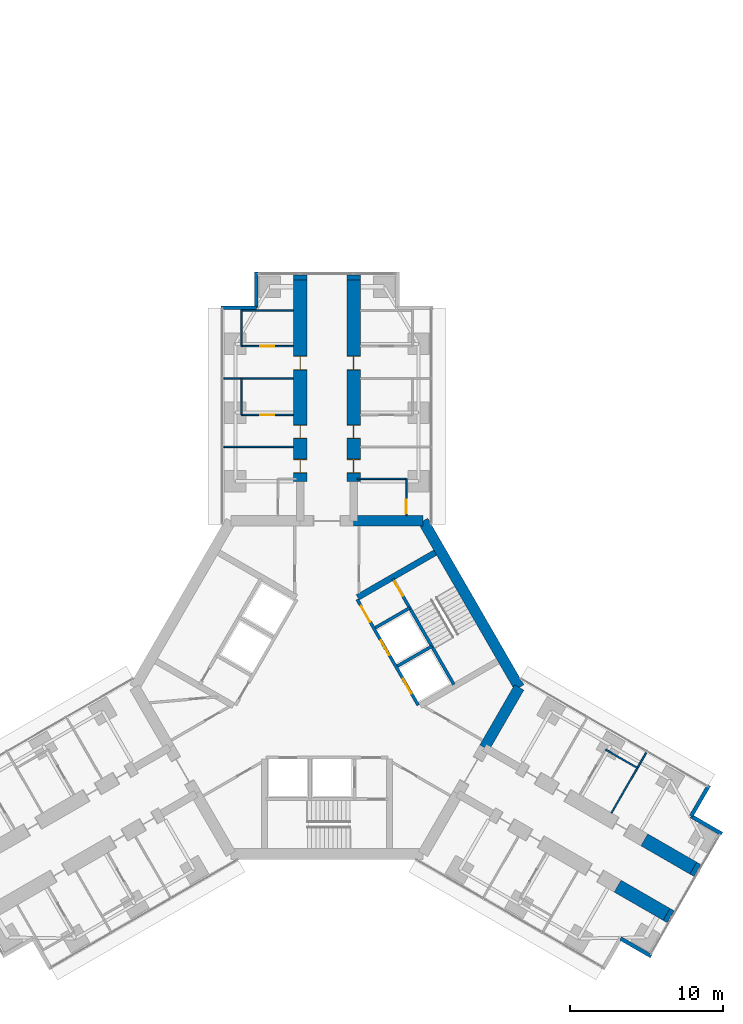
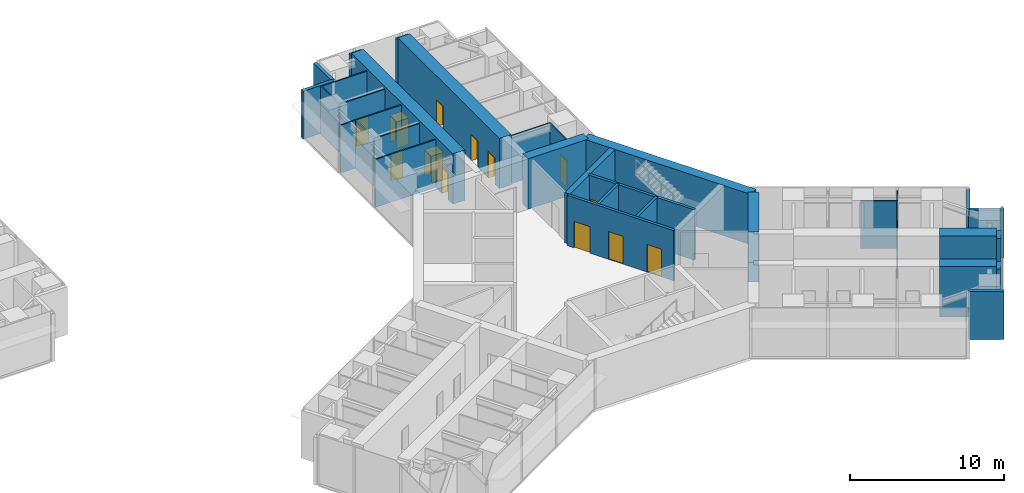
# One storey, part 22 of 25: 32 walls, 13 doors, 13 openings.
"""IFC4 building model written with IfcOpenShell, lengths in metres."""

from ifc_helpers import new_model, si_unit, direction, frame, frame_2d, origin, place, context, subcontext, project, spatial, rectangle, extrude, material, layer, layer_set, type_object, element, fill, save


model = new_model("IFC4")

# Units and contexts
model_context = context("Model", 3, precision=1e-05, world=origin(), true_north=direction((0.0, 1.0)))
body_context = subcontext(model_context, "Body", "Model", "MODEL_VIEW")
ifc_project = project(units=[si_unit("LENGTHUNIT", "METRE"), si_unit("AREAUNIT", "SQUARE_METRE"), si_unit("VOLUMEUNIT", "CUBIC_METRE"), si_unit("PLANEANGLEUNIT", "RADIAN"), si_unit("MASSUNIT", "GRAM", prefix="KILO")], contexts=[model_context])

# Site, building, storey
site_placement = place(None, origin())
site = spatial("IfcSite", under=ifc_project, at=site_placement, CompositionType="ELEMENT")
building_placement = place(site_placement, origin())
building = spatial("IfcBuilding", under=site, at=building_placement, Name="Upepo Twin Towers", CompositionType="ELEMENT")
storey_placement = place(building_placement, frame((0.0, 0.0, 84.5)))
storey = spatial("IfcBuildingStorey", under=building, at=storey_placement, Name="L20", CompositionType="ELEMENT", Elevation=84.5)

# Walls
ifc_material_1 = material(Name="Dense concrete blockwork", Category="masonry")
ifc_layer_1 = layer(ifc_material_1, 0.89990234375)
ifc_layer_set_1 = layer_set([ifc_layer_1], Name="Buttress closer 900, blockwork with fire-stopping to the curtain wall")
wall_type_1 = type_object("IfcWallType", Name="Buttress closer 900, blockwork with fire-stopping to the curtain wall", PredefinedType="PARTITIONING", material=ifc_layer_set_1)
for number, where, z_axis, x_axis, name in (
    (1, (56.75, 8.699951171875, 0.0), (0.0, 0.0, 1.0), (0.0, 1.0, 0.0), "T2 L20 wing A buttress closer L"),
    (2, (60.25, 8.699951171875, 0.0), (0.0, 0.0, 1.0), (0.0, 1.0, 0.0), "T2 L20 wing A buttress closer R"),
    (3, (82.497802734375, -29.83447265625, 0.0), (0.0, 0.0, 1.0), (0.866054481515, -0.499949632511, 0.0), "T2 L20 wing C buttress closer L"),
    (4, (80.747802734375, -32.865478515625, 0.0), (0.0, 0.0, 1.0), (0.866054481515, -0.499949632511, 0.0), "T2 L20 wing C buttress closer R"),
):
    element("IfcWall", number, at=place(storey_placement, frame(where, z_axis=z_axis, x_axis=x_axis)), inside=storey, type_object=wall_type_1, Name=name, PredefinedType="PARTITIONING", context=body_context, shape_type="SweptSolid", body=[
        extrude(rectangle(XDim=0.31005859375, YDim=0.89990234375, at=frame_2d((0.155029296875, 0.0))), origin(), (0.0, 0.0, 1.0), 3.800048828125),
    ])

# Wall, openings, doors
ifc_material_2 = material(Name="Concrete C60/75", Category="concrete")
ifc_layer_2 = layer(ifc_material_2, 0.89990234375)
ifc_layer_set_2 = layer_set([ifc_layer_2], Name="Concrete C60/75")
wall_type_2 = type_object("IfcWallType", Name="Buttress wall 900 RC", PredefinedType="SHEAR", material=ifc_layer_set_2)
wall_1_placement = place(storey_placement, frame((56.75, -4.5, 0.0), z_axis=(0.0, 0.0, 1.0), x_axis=(0.0, 1.0, 0.0)))
wall_1 = element("IfcWall", 5, at=wall_1_placement, inside=storey, type_object=wall_type_2, Name="T2 wing A buttress wall L part 2", PredefinedType="SHEAR", context=body_context, shape_type="SweptSolid", body=[
    extrude(rectangle(XDim=13.199951171875, YDim=0.89990234375, at=frame_2d((6.60009765625, 0.0))), origin(), (0.0, 0.0, 1.0), 4.0),
])
opening_1_placement = place(wall_1_placement, frame((0.550048828125, 0.0, 0.0)))
opening_1 = element("IfcOpeningElement", 6, at=opening_1_placement, cuts=wall_1, Name="Opening D11", PredefinedType="OPENING", context=body_context, shape_type="SweptSolid", body=[
    extrude(rectangle(XDim=0.89990234375, YDim=2.10009765625, at=frame_2d((0.449951171875, 1.050048828125))), frame((0.0, 0.4599609375, 0.0), z_axis=(0.0, -1.0, 0.0), x_axis=(1.0, 0.0, 0.0)), (0.0, 0.0, 1.0), 0.919921875),
])
opening_2_placement = place(wall_1_placement, frame((2.800048828125, 0.0, 0.0)))
opening_2 = element("IfcOpeningElement", 7, at=opening_2_placement, cuts=wall_1, Name="Opening D14", PredefinedType="OPENING", context=body_context, shape_type="SweptSolid", body=[
    extrude(rectangle(XDim=0.89990234375, YDim=2.10009765625, at=frame_2d((0.449951171875, 1.050048828125))), frame((0.0, 0.4599609375, 0.0), z_axis=(0.0, -1.0, 0.0), x_axis=(1.0, 0.0, 0.0)), (0.0, 0.0, 1.0), 0.919921875),
])
opening_3_placement = place(wall_1_placement, frame((7.300048828125, 0.0, 0.0)))
opening_3 = element("IfcOpeningElement", 8, at=opening_3_placement, cuts=wall_1, Name="Opening D14", PredefinedType="OPENING", context=body_context, shape_type="SweptSolid", body=[
    extrude(rectangle(XDim=0.89990234375, YDim=2.10009765625, at=frame_2d((0.449951171875, 1.050048828125))), frame((0.0, 0.4599609375, 0.0), z_axis=(0.0, -1.0, 0.0), x_axis=(1.0, 0.0, 0.0)), (0.0, 0.0, 1.0), 0.919921875),
])
ifc_material_3 = material(Name="Timber doorset", Category="wood")
door_type_1 = type_object("IfcDoorType", Name="Office door 900 FD30", OperationType="SINGLE_SWING_LEFT", PredefinedType="DOOR", material=ifc_material_3)
door_1_placement = place(opening_2_placement, origin())
door_1 = element("IfcDoor", 9, at=door_1_placement, inside=storey, type_object=door_type_1, Name="T2 L20 staff office door", OperationType="SINGLE_SWING_LEFT", OverallHeight=2.10009765625, OverallWidth=0.89990234375, PredefinedType="DOOR", context=body_context, shape_type="SweptSolid", body=[
    extrude(rectangle(XDim=0.81990234375, YDim=2.06009765625, at=frame_2d((0.449951171875, 1.030029296875))), frame((0.0, 0.02490234375, 0.0), z_axis=(0.0, -1.0, 0.0), x_axis=(1.0, 0.0, 0.0)), (0.0, 0.0, 1.0), 0.050048828125),
    extrude(rectangle(XDim=0.04, YDim=2.10009765625, at=frame_2d((0.02001953125, 1.050048828125))), frame((0.0, 0.44970703125, 0.0), z_axis=(0.0, -1.0, 0.0), x_axis=(1.0, 0.0, 0.0)), (0.0, 0.0, 1.0), 0.8994140625),
    extrude(rectangle(XDim=0.04, YDim=2.10009765625, at=frame_2d((0.8798828125, 1.050048828125))), frame((0.0, 0.44970703125, 0.0), z_axis=(0.0, -1.0, 0.0), x_axis=(1.0, 0.0, 0.0)), (0.0, 0.0, 1.0), 0.8994140625),
    extrude(rectangle(XDim=0.81990234375, YDim=0.04, at=frame_2d((0.449951171875, 2.080078125))), frame((0.0, 0.44970703125, 0.0), z_axis=(0.0, -1.0, 0.0), x_axis=(1.0, 0.0, 0.0)), (0.0, 0.0, 1.0), 0.8994140625),
])
fill(opening_2, door_1)
door_2_placement = place(opening_3_placement, origin())
door_2 = element("IfcDoor", 10, at=door_2_placement, inside=storey, type_object=door_type_1, Name="T2 L20 meeting room door", OperationType="SINGLE_SWING_RIGHT", OverallHeight=2.10009765625, OverallWidth=0.89990234375, PredefinedType="DOOR", context=body_context, shape_type="SweptSolid", body=[
    extrude(rectangle(XDim=0.81990234375, YDim=2.06009765625, at=frame_2d((0.449951171875, 1.030029296875))), frame((0.0, 0.02490234375, 0.0), z_axis=(0.0, -1.0, 0.0), x_axis=(1.0, 0.0, 0.0)), (0.0, 0.0, 1.0), 0.050048828125),
    extrude(rectangle(XDim=0.04, YDim=2.10009765625, at=frame_2d((0.02001953125, 1.050048828125))), frame((0.0, 0.44970703125, 0.0), z_axis=(0.0, -1.0, 0.0), x_axis=(1.0, 0.0, 0.0)), (0.0, 0.0, 1.0), 0.8994140625),
    extrude(rectangle(XDim=0.04, YDim=2.10009765625, at=frame_2d((0.8798828125, 1.050048828125))), frame((0.0, 0.44970703125, 0.0), z_axis=(0.0, -1.0, 0.0), x_axis=(1.0, 0.0, 0.0)), (0.0, 0.0, 1.0), 0.8994140625),
    extrude(rectangle(XDim=0.81990234375, YDim=0.04, at=frame_2d((0.449951171875, 2.080078125))), frame((0.0, 0.44970703125, 0.0), z_axis=(0.0, -1.0, 0.0), x_axis=(1.0, 0.0, 0.0)), (0.0, 0.0, 1.0), 0.8994140625),
])
fill(opening_3, door_2)
ifc_material_4 = material(Name="Timber doorset", Category="wood")
door_type_2 = type_object("IfcDoorType", Name="Toilet door 900", OperationType="SINGLE_SWING_LEFT", PredefinedType="DOOR", material=ifc_material_4)
door_3_placement = place(opening_1_placement, origin())
door_3 = element("IfcDoor", 11, at=door_3_placement, inside=storey, type_object=door_type_2, Name="T2 L20 toilets door", OperationType="SINGLE_SWING_LEFT", OverallHeight=2.10009765625, OverallWidth=0.89990234375, PredefinedType="DOOR", context=body_context, shape_type="SweptSolid", body=[
    extrude(rectangle(XDim=0.81990234375, YDim=2.06009765625, at=frame_2d((0.449951171875, 1.030029296875))), frame((0.0, 0.02490234375, 0.0), z_axis=(0.0, -1.0, 0.0), x_axis=(1.0, 0.0, 0.0)), (0.0, 0.0, 1.0), 0.050048828125),
    extrude(rectangle(XDim=0.04, YDim=2.10009765625, at=frame_2d((0.02001953125, 1.050048828125))), frame((0.0, 0.44970703125, 0.0), z_axis=(0.0, -1.0, 0.0), x_axis=(1.0, 0.0, 0.0)), (0.0, 0.0, 1.0), 0.8994140625),
    extrude(rectangle(XDim=0.04, YDim=2.10009765625, at=frame_2d((0.8798828125, 1.050048828125))), frame((0.0, 0.44970703125, 0.0), z_axis=(0.0, -1.0, 0.0), x_axis=(1.0, 0.0, 0.0)), (0.0, 0.0, 1.0), 0.8994140625),
    extrude(rectangle(XDim=0.81990234375, YDim=0.04, at=frame_2d((0.449951171875, 2.080078125))), frame((0.0, 0.44970703125, 0.0), z_axis=(0.0, -1.0, 0.0), x_axis=(1.0, 0.0, 0.0)), (0.0, 0.0, 1.0), 0.8994140625),
])
fill(opening_1, door_3)

wall_2_placement = place(storey_placement, frame((60.25, -4.5, 0.0), z_axis=(0.0, 0.0, 1.0), x_axis=(0.0, 1.0, 0.0)))
wall_2 = element("IfcWall", 12, at=wall_2_placement, inside=storey, type_object=wall_type_2, Name="T2 wing A buttress wall R part 2", PredefinedType="SHEAR", context=body_context, shape_type="SweptSolid", body=[
    extrude(rectangle(XDim=13.199951171875, YDim=0.89990234375, at=frame_2d((6.60009765625, 0.0))), origin(), (0.0, 0.0, 1.0), 4.0),
])
opening_4_placement = place(wall_2_placement, frame((0.550048828125, 0.0, 0.0)))
opening_4 = element("IfcOpeningElement", 13, at=opening_4_placement, cuts=wall_2, Name="Opening D11", PredefinedType="OPENING", context=body_context, shape_type="SweptSolid", body=[
    extrude(rectangle(XDim=0.89990234375, YDim=2.10009765625, at=frame_2d((0.449951171875, 1.050048828125))), frame((0.0, 0.4599609375, 0.0), z_axis=(0.0, -1.0, 0.0), x_axis=(1.0, 0.0, 0.0)), (0.0, 0.0, 1.0), 0.919921875),
])
opening_5_placement = place(wall_2_placement, frame((2.800048828125, 0.0, 0.0)))
opening_5 = element("IfcOpeningElement", 14, at=opening_5_placement, cuts=wall_2, Name="Opening D14", PredefinedType="OPENING", context=body_context, shape_type="SweptSolid", body=[
    extrude(rectangle(XDim=0.89990234375, YDim=2.10009765625, at=frame_2d((0.449951171875, 1.050048828125))), frame((0.0, 0.4599609375, 0.0), z_axis=(0.0, -1.0, 0.0), x_axis=(1.0, 0.0, 0.0)), (0.0, 0.0, 1.0), 0.919921875),
])
opening_6_placement = place(wall_2_placement, frame((7.300048828125, 0.0, 0.0)))
opening_6 = element("IfcOpeningElement", 15, at=opening_6_placement, cuts=wall_2, Name="Opening D14", PredefinedType="OPENING", context=body_context, shape_type="SweptSolid", body=[
    extrude(rectangle(XDim=0.89990234375, YDim=2.10009765625, at=frame_2d((0.449951171875, 1.050048828125))), frame((0.0, 0.4599609375, 0.0), z_axis=(0.0, -1.0, 0.0), x_axis=(1.0, 0.0, 0.0)), (0.0, 0.0, 1.0), 0.919921875),
])
door_4_placement = place(opening_5_placement, origin())
door_4 = element("IfcDoor", 16, at=door_4_placement, inside=storey, type_object=door_type_1, Name="T2 L20 staff office door", OperationType="SINGLE_SWING_LEFT", OverallHeight=2.10009765625, OverallWidth=0.89990234375, PredefinedType="DOOR", context=body_context, shape_type="SweptSolid", body=[
    extrude(rectangle(XDim=0.81990234375, YDim=2.06009765625, at=frame_2d((0.449951171875, 1.030029296875))), frame((0.0, 0.02490234375, 0.0), z_axis=(0.0, -1.0, 0.0), x_axis=(1.0, 0.0, 0.0)), (0.0, 0.0, 1.0), 0.050048828125),
    extrude(rectangle(XDim=0.04, YDim=2.10009765625, at=frame_2d((0.02001953125, 1.050048828125))), frame((0.0, 0.44970703125, 0.0), z_axis=(0.0, -1.0, 0.0), x_axis=(1.0, 0.0, 0.0)), (0.0, 0.0, 1.0), 0.8994140625),
    extrude(rectangle(XDim=0.04, YDim=2.10009765625, at=frame_2d((0.8798828125, 1.050048828125))), frame((0.0, 0.44970703125, 0.0), z_axis=(0.0, -1.0, 0.0), x_axis=(1.0, 0.0, 0.0)), (0.0, 0.0, 1.0), 0.8994140625),
    extrude(rectangle(XDim=0.81990234375, YDim=0.04, at=frame_2d((0.449951171875, 2.080078125))), frame((0.0, 0.44970703125, 0.0), z_axis=(0.0, -1.0, 0.0), x_axis=(1.0, 0.0, 0.0)), (0.0, 0.0, 1.0), 0.8994140625),
])
fill(opening_5, door_4)
door_5_placement = place(opening_6_placement, origin())
door_5 = element("IfcDoor", 17, at=door_5_placement, inside=storey, type_object=door_type_1, Name="T2 L20 postgraduate office door", OperationType="SINGLE_SWING_RIGHT", OverallHeight=2.10009765625, OverallWidth=0.89990234375, PredefinedType="DOOR", context=body_context, shape_type="SweptSolid", body=[
    extrude(rectangle(XDim=0.81990234375, YDim=2.06009765625, at=frame_2d((0.449951171875, 1.030029296875))), frame((0.0, 0.02490234375, 0.0), z_axis=(0.0, -1.0, 0.0), x_axis=(1.0, 0.0, 0.0)), (0.0, 0.0, 1.0), 0.050048828125),
    extrude(rectangle(XDim=0.04, YDim=2.10009765625, at=frame_2d((0.02001953125, 1.050048828125))), frame((0.0, 0.44970703125, 0.0), z_axis=(0.0, -1.0, 0.0), x_axis=(1.0, 0.0, 0.0)), (0.0, 0.0, 1.0), 0.8994140625),
    extrude(rectangle(XDim=0.04, YDim=2.10009765625, at=frame_2d((0.8798828125, 1.050048828125))), frame((0.0, 0.44970703125, 0.0), z_axis=(0.0, -1.0, 0.0), x_axis=(1.0, 0.0, 0.0)), (0.0, 0.0, 1.0), 0.8994140625),
    extrude(rectangle(XDim=0.81990234375, YDim=0.04, at=frame_2d((0.449951171875, 2.080078125))), frame((0.0, 0.44970703125, 0.0), z_axis=(0.0, -1.0, 0.0), x_axis=(1.0, 0.0, 0.0)), (0.0, 0.0, 1.0), 0.8994140625),
])
fill(opening_6, door_5)
door_6_placement = place(opening_4_placement, origin())
door_6 = element("IfcDoor", 18, at=door_6_placement, inside=storey, type_object=door_type_2, Name="T2 L20 accessible wc door", OperationType="SINGLE_SWING_LEFT", OverallHeight=2.10009765625, OverallWidth=0.89990234375, PredefinedType="DOOR", context=body_context, shape_type="SweptSolid", body=[
    extrude(rectangle(XDim=0.81990234375, YDim=2.06009765625, at=frame_2d((0.449951171875, 1.030029296875))), frame((0.0, 0.02490234375, 0.0), z_axis=(0.0, -1.0, 0.0), x_axis=(1.0, 0.0, 0.0)), (0.0, 0.0, 1.0), 0.050048828125),
    extrude(rectangle(XDim=0.04, YDim=2.10009765625, at=frame_2d((0.02001953125, 1.050048828125))), frame((0.0, 0.44970703125, 0.0), z_axis=(0.0, -1.0, 0.0), x_axis=(1.0, 0.0, 0.0)), (0.0, 0.0, 1.0), 0.8994140625),
    extrude(rectangle(XDim=0.04, YDim=2.10009765625, at=frame_2d((0.8798828125, 1.050048828125))), frame((0.0, 0.44970703125, 0.0), z_axis=(0.0, -1.0, 0.0), x_axis=(1.0, 0.0, 0.0)), (0.0, 0.0, 1.0), 0.8994140625),
    extrude(rectangle(XDim=0.81990234375, YDim=0.04, at=frame_2d((0.449951171875, 2.080078125))), frame((0.0, 0.44970703125, 0.0), z_axis=(0.0, -1.0, 0.0), x_axis=(1.0, 0.0, 0.0)), (0.0, 0.0, 1.0), 0.8994140625),
])
fill(opening_4, door_6)

# Walls
wall_3_placement = place(storey_placement, frame((79.293701171875, -27.984375, 0.0), z_axis=(0.0, 0.0, 1.0), x_axis=(0.866000971088, -0.500042316284, 0.0)))
element("IfcWall", 19, at=wall_3_placement, inside=storey, type_object=wall_type_2, Name="T2 wing C buttress wall L part 3", PredefinedType="SHEAR", context=body_context, shape_type="SweptSolid", body=[
    extrude(rectangle(XDim=3.699951171875, YDim=0.89990234375, at=frame_2d((1.85009765625, 0.0))), origin(), (0.0, 0.0, 1.0), 4.0),
])
wall_4_placement = place(storey_placement, frame((77.543701171875, -31.015625, 0.0), z_axis=(0.0, 0.0, 1.0), x_axis=(0.866029545028, -0.499992827086, 0.0)))
element("IfcWall", 20, at=wall_4_placement, inside=storey, type_object=wall_type_2, Name="T2 wing C buttress wall R part 3", PredefinedType="SHEAR", context=body_context, shape_type="SweptSolid", body=[
    extrude(rectangle(XDim=3.69970703125, YDim=0.89990234375, at=frame_2d((1.849853515625, 0.0))), origin(), (0.0, 0.0, 1.0), 4.0),
])
ifc_material_5 = material(Name="Concrete C60/75", Category="concrete")
ifc_layer_3 = layer(ifc_material_5, 0.699951171875)
ifc_layer_set_3 = layer_set([ifc_layer_3], Name="Concrete C60/75")
wall_type_3 = type_object("IfcWallType", Name="Core wall 700 RC", PredefinedType="SHEAR", material=ifc_layer_set_3)
wall_5_placement = place(storey_placement, frame((64.7978515625, -7.091552734375, 0.0), z_axis=(0.0, 0.0, 1.0), x_axis=(-1.0, 0.0, 0.0)))
element("IfcWall", 21, at=wall_5_placement, inside=storey, type_object=wall_type_3, Name="T2 core wall 000 R", PredefinedType="SHEAR", context=body_context, shape_type="SweptSolid", body=[
    extrude(rectangle(XDim=4.5478515625, YDim=0.699951171875, at=frame_2d((2.27392578125, 0.0))), origin(), (0.0, 0.0, 1.0), 4.0),
])
wall_6_placement = place(storey_placement, frame((68.82177734375, -21.938720703125, 0.0), z_axis=(0.0, 0.0, 1.0), x_axis=(0.500024481964, 0.866011268655, 0.0)))
element("IfcWall", 22, at=wall_6_placement, inside=storey, type_object=wall_type_3, Name="T2 core wall 240 L", PredefinedType="SHEAR", context=body_context, shape_type="SweptSolid", body=[
    extrude(rectangle(XDim=4.548095703125, YDim=0.699951171875, at=frame_2d((2.27392578125, 0.0))), origin(), (0.0, 0.0, 1.0), 4.0),
])
wall_7_placement = place(storey_placement, frame((71.095947265625, -18.0, 0.0), z_axis=(0.0, 0.0, 1.0), x_axis=(-0.500005998175, 0.866021940709, 0.0)))
element("IfcWall", 23, at=wall_7_placement, inside=storey, type_object=wall_type_3, Name="T2 core wall 300", PredefinedType="SHEAR", context=body_context, shape_type="SweptSolid", body=[
    extrude(rectangle(XDim=12.595947265625, YDim=0.699951171875, at=frame_2d((6.2978515625, 0.0))), origin(), (0.0, 0.0, 1.0), 4.0),
])
ifc_material_6 = material(Name="Blockwork with anodised aluminium cladding", Category="masonry")
ifc_layer_4 = layer(ifc_material_6, 0.25)
ifc_layer_set_4 = layer_set([ifc_layer_4], Name="Notch cladding wall 250, pale metal")
wall_type_4 = type_object("IfcWallType", Name="Notch cladding wall 250, pale metal", PredefinedType="STANDARD", material=ifc_layer_set_4)
for number, where, z_axis, x_axis, name in (
    (24, (51.550048828125, 6.875, 0.0), (0.0, 0.0, 1.0), (1.0, 0.0, 0.0), "T2 L20 wing A notch wall L1"),
    (25, (53.875, 6.875, 0.0), (0.0, 0.0, 1.0), (0.0, 1.0, 0.0), "T2 L20 wing A notch wall L2"),
    (26, (83.517333984375, -24.418701171875, 0.0), (0.0, 0.0, 1.0), (-0.499967891604, -0.866043940782, 0.0), "T2 L20 wing C notch wall L1"),
    (27, (82.35498046875, -26.43212890625, 0.0), (0.0, 0.0, 1.0), (0.865998469481, -0.500046648681, 0.0), "T2 L20 wing C notch wall L2"),
    (28, (77.72998046875, -34.44287109375, 0.0), (0.0, 0.0, 1.0), (0.865998469481, -0.500046648681, 0.0), "T2 L20 wing C notch wall R2"),
):
    element("IfcWall", number, at=place(storey_placement, frame(where, z_axis=z_axis, x_axis=x_axis)), inside=storey, type_object=wall_type_4, Name=name, PredefinedType="STANDARD", context=body_context, shape_type="SweptSolid", body=[
        extrude(rectangle(XDim=2.324951171875, YDim=0.25, at=frame_2d((1.16259765625, 0.0))), origin(), (0.0, 0.0, 1.0), 3.800048828125),
    ])
ifc_material_7 = material(Name="Gypsum board on steel studs", Category="steel")
ifc_layer_5 = layer(ifc_material_7, 0.10009765625)
ifc_layer_set_5 = layer_set([ifc_layer_5], Name="Office partition 100 stud")
wall_type_5 = type_object("IfcWallType", Name="Office partition 100 stud", PredefinedType="PARTITIONING", material=ifc_layer_set_5)
for number, where, z_axis, x_axis, name in (
    (29, (56.300048828125, -2.25, 0.0), (0.0, 0.0, 1.0), (-1.0, 0.0, 0.0), "T2 partition AL at 15.75"),
    (30, (56.300048828125, 2.25, 0.0), (0.0, 0.0, 1.0), (-1.0, 0.0, 0.0), "T2 partition AL at 20.25"),
):
    element("IfcWall", number, at=place(storey_placement, frame(where, z_axis=z_axis, x_axis=x_axis)), inside=storey, type_object=wall_type_5, Name=name, PredefinedType="PARTITIONING", context=body_context, shape_type="SweptSolid", body=[
        extrude(rectangle(XDim=4.550048828125, YDim=0.10009765625, at=frame_2d((2.27490234375, 0.0))), origin(), (0.0, 0.0, 1.0), 3.800048828125),
    ])
wall_8_placement = place(storey_placement, frame((52.89990234375, -0.14990234375, 0.0), z_axis=(0.0, 0.0, 1.0), x_axis=(0.0, 1.0, 0.0)))
element("IfcWall", 31, at=wall_8_placement, inside=storey, type_object=wall_type_5, Name="T2 inner room partition AL at 17.85", PredefinedType="PARTITIONING", context=body_context, shape_type="SweptSolid", body=[
    extrude(rectangle(XDim=2.39990234375, YDim=0.10009765625, at=frame_2d((1.199951171875, 0.0))), origin(), (0.0, 0.0, 1.0), 3.800048828125),
])

# Wall, opening, door
wall_9_placement = place(storey_placement, frame((56.300048828125, -0.14990234375, 0.0), z_axis=(0.0, 0.0, 1.0), x_axis=(-1.0, 0.0, 0.0)))
wall_9 = element("IfcWall", 32, at=wall_9_placement, inside=storey, type_object=wall_type_5, Name="T2 inner room partition AL end at 17.85", PredefinedType="PARTITIONING", context=body_context, shape_type="SweptSolid", body=[
    extrude(rectangle(XDim=3.400146484375, YDim=0.10009765625, at=frame_2d((1.7001953125, 0.0))), origin(), (0.0, 0.0, 1.0), 3.800048828125),
])
opening_7_placement = place(wall_9_placement, frame((1.25, 0.0, 0.0)))
opening_7 = element("IfcOpeningElement", 33, at=opening_7_placement, cuts=wall_9, Name="Opening D14", PredefinedType="OPENING", context=body_context, shape_type="SweptSolid", body=[
    extrude(rectangle(XDim=0.89990234375, YDim=2.10009765625, at=frame_2d((0.449951171875, 1.050048828125))), frame((0.0, 0.06005859375, 0.0), z_axis=(0.0, -1.0, 0.0), x_axis=(1.0, 0.0, 0.0)), (0.0, 0.0, 1.0), 0.1201171875),
])
door_7_placement = place(opening_7_placement, origin())
door_7 = element("IfcDoor", 34, at=door_7_placement, inside=storey, type_object=door_type_1, Name="T2 L20 inner room door", OperationType="SINGLE_SWING_LEFT", OverallHeight=2.10009765625, OverallWidth=0.89990234375, PredefinedType="DOOR", context=body_context, shape_type="SweptSolid", body=[
    extrude(rectangle(XDim=0.89990234375, YDim=2.10009765625, at=frame_2d((0.449951171875, 1.050048828125))), frame((0.0, 0.02490234375, 0.0), z_axis=(0.0, -1.0, 0.0), x_axis=(1.0, 0.0, 0.0)), (0.0, 0.0, 1.0), 0.050048828125),
])
fill(opening_7, door_7)

# Wall
wall_10_placement = place(storey_placement, frame((52.89990234375, 4.35009765625, 0.0), z_axis=(0.0, 0.0, 1.0), x_axis=(0.0, 1.0, 0.0)))
element("IfcWall", 35, at=wall_10_placement, inside=storey, type_object=wall_type_5, Name="T2 inner room partition AL at 22.35", PredefinedType="PARTITIONING", context=body_context, shape_type="SweptSolid", body=[
    extrude(rectangle(XDim=2.39990234375, YDim=0.10009765625, at=frame_2d((1.199951171875, 0.0))), origin(), (0.0, 0.0, 1.0), 3.800048828125),
])

# Wall, opening, door
wall_11_placement = place(storey_placement, frame((56.300048828125, 4.35009765625, 0.0), z_axis=(0.0, 0.0, 1.0), x_axis=(-1.0, 0.0, 0.0)))
wall_11 = element("IfcWall", 36, at=wall_11_placement, inside=storey, type_object=wall_type_5, Name="T2 inner room partition AL end at 22.35", PredefinedType="PARTITIONING", context=body_context, shape_type="SweptSolid", body=[
    extrude(rectangle(XDim=3.400146484375, YDim=0.10009765625, at=frame_2d((1.7001953125, 0.0))), origin(), (0.0, 0.0, 1.0), 3.800048828125),
])
opening_8_placement = place(wall_11_placement, frame((1.25, 0.0, 0.0)))
opening_8 = element("IfcOpeningElement", 37, at=opening_8_placement, cuts=wall_11, Name="Opening D14", PredefinedType="OPENING", context=body_context, shape_type="SweptSolid", body=[
    extrude(rectangle(XDim=0.89990234375, YDim=2.10009765625, at=frame_2d((0.449951171875, 1.050048828125))), frame((0.0, 0.06005859375, 0.0), z_axis=(0.0, -1.0, 0.0), x_axis=(1.0, 0.0, 0.0)), (0.0, 0.0, 1.0), 0.1201171875),
])
door_8_placement = place(opening_8_placement, origin())
door_8 = element("IfcDoor", 38, at=door_8_placement, inside=storey, type_object=door_type_1, Name="T2 L20 inner room door", OperationType="SINGLE_SWING_LEFT", OverallHeight=2.10009765625, OverallWidth=0.89990234375, PredefinedType="DOOR", context=body_context, shape_type="SweptSolid", body=[
    extrude(rectangle(XDim=0.89990234375, YDim=2.10009765625, at=frame_2d((0.449951171875, 1.050048828125))), frame((0.0, 0.02490234375, 0.0), z_axis=(0.0, -1.0, 0.0), x_axis=(1.0, 0.0, 0.0)), (0.0, 0.0, 1.0), 0.050048828125),
])
fill(opening_8, door_8)

# Wall
wall_12_placement = place(storey_placement, frame((56.300048828125, 6.699951171875, 0.0), z_axis=(0.0, 0.0, 1.0), x_axis=(-1.0, 0.0, 0.0)))
element("IfcWall", 39, at=wall_12_placement, inside=storey, type_object=wall_type_5, Name="T2 inner room partition AL end at 24.75", PredefinedType="PARTITIONING", context=body_context, shape_type="SweptSolid", body=[
    extrude(rectangle(XDim=3.400146484375, YDim=0.10009765625, at=frame_2d((1.7001953125, 0.0))), origin(), (0.0, 0.0, 1.0), 3.800048828125),
])

# Wall, opening, door
wall_13_placement = place(storey_placement, frame((63.699951171875, -6.741943359375, 0.0), z_axis=(0.0, 0.0, 1.0), x_axis=(0.0, 1.0, 0.0)))
wall_13 = element("IfcWall", 40, at=wall_13_placement, inside=storey, type_object=wall_type_5, Name="T2 WC bay partition AR at 11.26", PredefinedType="PARTITIONING", context=body_context, shape_type="SweptSolid", body=[
    extrude(rectangle(XDim=2.39990234375, YDim=0.10009765625, at=frame_2d((1.199951171875, 0.0))), origin(), (0.0, 0.0, 1.0), 3.800048828125),
])
opening_9_placement = place(wall_13_placement, frame((0.14990234375, 0.0, 0.0)))
opening_9 = element("IfcOpeningElement", 41, at=opening_9_placement, cuts=wall_13, Name="Opening D14", PredefinedType="OPENING", context=body_context, shape_type="SweptSolid", body=[
    extrude(rectangle(XDim=0.89990234375, YDim=2.10009765625, at=frame_2d((0.449951171875, 1.050048828125))), frame((0.0, 0.06005859375, 0.0), z_axis=(0.0, -1.0, 0.0), x_axis=(1.0, 0.0, 0.0)), (0.0, 0.0, 1.0), 0.1201171875),
])
door_9_placement = place(opening_9_placement, origin())
door_9 = element("IfcDoor", 42, at=door_9_placement, inside=storey, type_object=door_type_1, Name="T2 L20 WC bay inner room door", OperationType="SINGLE_SWING_LEFT", OverallHeight=2.10009765625, OverallWidth=0.89990234375, PredefinedType="DOOR", context=body_context, shape_type="SweptSolid", body=[
    extrude(rectangle(XDim=0.89990234375, YDim=2.10009765625, at=frame_2d((0.449951171875, 1.050048828125))), frame((0.0, 0.02490234375, 0.0), z_axis=(0.0, -1.0, 0.0), x_axis=(1.0, 0.0, 0.0)), (0.0, 0.0, 1.0), 0.050048828125),
])
fill(opening_9, door_9)

# Walls
wall_14_placement = place(storey_placement, frame((60.5, -4.342041015625, 0.0), z_axis=(0.0, 0.0, 1.0), x_axis=(1.0, 0.0, 0.0)))
element("IfcWall", 43, at=wall_14_placement, inside=storey, type_object=wall_type_5, Name="T2 WC bay partition AR end at 13.66", PredefinedType="PARTITIONING", context=body_context, shape_type="SweptSolid", body=[
    extrude(rectangle(XDim=3.199951171875, YDim=0.10009765625, at=frame_2d((1.60009765625, 0.0))), origin(), (0.0, 0.0, 1.0), 3.800048828125),
])
wall_15_placement = place(storey_placement, frame((77.136962890625, -26.2197265625, 0.0), z_axis=(0.0, 0.0, 1.0), x_axis=(0.500022803284, 0.866012237902, 0.0)))
element("IfcWall", 44, at=wall_15_placement, inside=storey, type_object=wall_type_5, Name="T2 partition CL at 20.25", PredefinedType="PARTITIONING", context=body_context, shape_type="SweptSolid", body=[
    extrude(rectangle(XDim=4.550048828125, YDim=0.10009765625, at=frame_2d((2.27490234375, 0.0))), origin(), (0.0, 0.0, 1.0), 3.800048828125),
])
wall_16_placement = place(storey_placement, frame((76.758544921875, -22.0751953125, 0.0), z_axis=(0.0, 0.0, 1.0), x_axis=(0.866024647952, -0.500001309137, 0.0)))
element("IfcWall", 45, at=wall_16_placement, inside=storey, type_object=wall_type_5, Name="T2 inner room partition CL at 17.85", PredefinedType="PARTITIONING", context=body_context, shape_type="SweptSolid", body=[
    extrude(rectangle(XDim=2.39990234375, YDim=0.10009765625, at=frame_2d((1.199951171875, 0.0))), origin(), (0.0, 0.0, 1.0), 3.800048828125),
])

# Wall, openings, doors
ifc_material_8 = material(Name="Concrete C40/50", Category="concrete")
ifc_layer_6 = layer(ifc_material_8, 0.199951171875)
ifc_layer_set_6 = layer_set([ifc_layer_6], Name="Concrete C40/50")
wall_type_6 = type_object("IfcWallType", Name="Shaft wall 200 RC", PredefinedType="SHEAR", material=ifc_layer_set_6)
wall_17_placement = place(storey_placement, frame((64.483642578125, -19.1640625, 0.0), z_axis=(0.0, 0.0, 1.0), x_axis=(-0.49999894854, 0.866026010844, 0.0)))
wall_17 = element("IfcWall", 46, at=wall_17_placement, inside=storey, type_object=wall_type_6, Name="T2 core W300 front wall", PredefinedType="SHEAR", context=body_context, shape_type="SweptSolid", body=[
    extrude(rectangle(XDim=8.0, YDim=0.199951171875, at=frame_2d((4.0, 0.0))), origin(), (0.0, 0.0, 1.0), 4.0),
])
opening_10_placement = place(wall_17_placement, frame((6.300048828125, 0.0, 0.0)))
opening_10 = element("IfcOpeningElement", 47, at=opening_10_placement, cuts=wall_17, Name="Opening D4", PredefinedType="OPENING", context=body_context, shape_type="SweptSolid", body=[
    extrude(rectangle(XDim=1.199951171875, YDim=2.10009765625, at=frame_2d((0.60009765625, 1.050048828125))), frame((0.0, 0.10986328125, 0.0), z_axis=(0.0, -1.0, 0.0), x_axis=(1.0, 0.0, 0.0)), (0.0, 0.0, 1.0), 0.219970703125),
])
opening_11_placement = place(wall_17_placement, frame((0.89990234375, 0.0, 0.0)))
opening_11 = element("IfcOpeningElement", 48, at=opening_11_placement, cuts=wall_17, Name="Opening LD1", PredefinedType="OPENING", context=body_context, shape_type="SweptSolid", body=[
    extrude(rectangle(XDim=1.10009765625, YDim=2.199951171875, at=frame_2d((0.550048828125, 1.10009765625))), frame((0.0, 0.10986328125, 0.0), z_axis=(0.0, -1.0, 0.0), x_axis=(1.0, 0.0, 0.0)), (0.0, 0.0, 1.0), 0.219970703125),
])
opening_12_placement = place(wall_17_placement, frame((3.800048828125, 0.0, 0.0)))
opening_12 = element("IfcOpeningElement", 49, at=opening_12_placement, cuts=wall_17, Name="Opening LD1", PredefinedType="OPENING", context=body_context, shape_type="SweptSolid", body=[
    extrude(rectangle(XDim=1.10009765625, YDim=2.199951171875, at=frame_2d((0.550048828125, 1.10009765625))), frame((0.0, 0.10986328125, 0.0), z_axis=(0.0, -1.0, 0.0), x_axis=(1.0, 0.0, 0.0)), (0.0, 0.0, 1.0), 0.219970703125),
])
ifc_material_9 = material(Name="Steel doorset", Category="steel")
door_type_3 = type_object("IfcDoorType", Name="Lift landing door 1100", OperationType="DOUBLE_DOOR_SLIDING", PredefinedType="DOOR", material=ifc_material_9)
door_10_placement = place(opening_11_placement, origin())
door_10 = element("IfcDoor", 50, at=door_10_placement, inside=storey, type_object=door_type_3, Name="T2 L20 lift LL1 landing door", OperationType="DOUBLE_DOOR_SLIDING", OverallHeight=2.199951171875, OverallWidth=1.10009765625, PredefinedType="DOOR", context=body_context, shape_type="SweptSolid", body=[
    extrude(rectangle(XDim=1.10009765625, YDim=2.199951171875, at=frame_2d((0.550048828125, 1.10009765625))), frame((0.0, 0.02490234375, 0.0), z_axis=(0.0, -1.0, 0.0), x_axis=(1.0, 0.0, 0.0)), (0.0, 0.0, 1.0), 0.050048828125),
])
fill(opening_11, door_10)
door_11_placement = place(opening_12_placement, origin())
door_11 = element("IfcDoor", 51, at=door_11_placement, inside=storey, type_object=door_type_3, Name="T2 L20 lift LL2 landing door", OperationType="DOUBLE_DOOR_SLIDING", OverallHeight=2.199951171875, OverallWidth=1.10009765625, PredefinedType="DOOR", context=body_context, shape_type="SweptSolid", body=[
    extrude(rectangle(XDim=1.10009765625, YDim=2.199951171875, at=frame_2d((0.550048828125, 1.10009765625))), frame((0.0, 0.02490234375, 0.0), z_axis=(0.0, -1.0, 0.0), x_axis=(1.0, 0.0, 0.0)), (0.0, 0.0, 1.0), 0.050048828125),
])
fill(opening_12, door_11)
ifc_material_10 = material(Name="Timber doorset", Category="wood")
door_type_4 = type_object("IfcDoorType", Name="Lobby door 1200 FD60", OperationType="SINGLE_SWING_LEFT", PredefinedType="DOOR", material=ifc_material_10)
door_12_placement = place(opening_10_placement, origin())
door_12 = element("IfcDoor", 52, at=door_12_placement, inside=storey, type_object=door_type_4, Name="T2 L20 W300 lobby door", OperationType="SINGLE_SWING_RIGHT", OverallHeight=2.10009765625, OverallWidth=1.199951171875, PredefinedType="DOOR", context=body_context, shape_type="SweptSolid", body=[
    extrude(rectangle(XDim=1.199951171875, YDim=2.10009765625, at=frame_2d((0.60009765625, 1.050048828125))), frame((0.0, 0.02490234375, 0.0), z_axis=(0.0, -1.0, 0.0), x_axis=(1.0, 0.0, 0.0)), (0.0, 0.0, 1.0), 0.050048828125),
])
fill(opening_10, door_12)

# Walls
wall_18_placement = place(storey_placement, frame((63.120361328125, -16.6025390625, 0.0), z_axis=(0.0, 0.0, 1.0), x_axis=(0.866062058628, 0.499936506574, 0.0)))
element("IfcWall", 53, at=wall_18_placement, inside=storey, type_object=wall_type_6, Name="T2 core W300 shaft divider", PredefinedType="SHEAR", context=body_context, shape_type="SweptSolid", body=[
    extrude(rectangle(XDim=2.599853515625, YDim=0.199951171875, at=frame_2d((1.2998046875, 0.0))), origin(), (0.0, 0.0, 1.0), 4.0),
])
wall_19_placement = place(storey_placement, frame((61.67041015625, -14.091064453125, 0.0), z_axis=(0.0, 0.0, 1.0), x_axis=(0.86603858612, 0.49997716683, 0.0)))
element("IfcWall", 54, at=wall_19_placement, inside=storey, type_object=wall_type_6, Name="T2 core W300 lobby wall", PredefinedType="SHEAR", context=body_context, shape_type="SweptSolid", body=[
    extrude(rectangle(XDim=2.599609375, YDim=0.199951171875, at=frame_2d((1.2998046875, 0.0))), origin(), (0.0, 0.0, 1.0), 4.0),
])

# Wall, opening, door
wall_20_placement = place(storey_placement, frame((66.822021484375, -17.814208984375, 0.0), z_axis=(0.0, 0.0, 1.0), x_axis=(-0.49999894854, 0.866026010844, 0.0)))
wall_20 = element("IfcWall", 55, at=wall_20_placement, inside=storey, type_object=wall_type_6, Name="T2 core W300 stair wall", PredefinedType="SHEAR", context=body_context, shape_type="SweptSolid", body=[
    extrude(rectangle(XDim=8.0, YDim=0.199951171875, at=frame_2d((4.0, 0.0))), origin(), (0.0, 0.0, 1.0), 4.0),
])
opening_13_placement = place(wall_20_placement, frame((6.699951171875, 0.0, 0.0)))
opening_13 = element("IfcOpeningElement", 56, at=opening_13_placement, cuts=wall_20, Name="Opening D3", PredefinedType="OPENING", context=body_context, shape_type="SweptSolid", body=[
    extrude(rectangle(XDim=1.10009765625, YDim=2.10009765625, at=frame_2d((0.550048828125, 1.050048828125))), frame((0.0, 0.10986328125, 0.0), z_axis=(0.0, -1.0, 0.0), x_axis=(1.0, 0.0, 0.0)), (0.0, 0.0, 1.0), 0.219970703125),
])
ifc_material_11 = material(Name="Timber doorset", Category="wood")
door_type_5 = type_object("IfcDoorType", Name="Stair door 1100 FD60", OperationType="SINGLE_SWING_LEFT", PredefinedType="DOOR", material=ifc_material_11)
door_13_placement = place(opening_13_placement, origin())
door_13 = element("IfcDoor", 57, at=door_13_placement, inside=storey, type_object=door_type_5, Name="T2 L20 stair door", OperationType="SINGLE_SWING_RIGHT", OverallHeight=2.10009765625, OverallWidth=1.10009765625, PredefinedType="DOOR", context=body_context, shape_type="SweptSolid", body=[
    extrude(rectangle(XDim=1.10009765625, YDim=2.10009765625, at=frame_2d((0.550048828125, 1.050048828125))), frame((0.0, 0.02490234375, 0.0), z_axis=(0.0, -1.0, 0.0), x_axis=(1.0, 0.0, 0.0)), (0.0, 0.0, 1.0), 0.050048828125),
])
fill(opening_13, door_13)

# Wall
ifc_material_12 = material(Name="Concrete C40/50", Category="concrete")
ifc_layer_7 = layer(ifc_material_12, 0.39990234375)
ifc_layer_set_7 = layer_set([ifc_layer_7], Name="Concrete C40/50")
wall_type_7 = type_object("IfcWallType", Name="Shaft wall 400 RC", PredefinedType="SHEAR", material=ifc_layer_set_7)
wall_21_placement = place(storey_placement, frame((60.520263671875, -12.099365234375, 0.0), z_axis=(0.0, 0.0, 1.0), x_axis=(0.866023886965, 0.500002627198, 0.0)))
element("IfcWall", 58, at=wall_21_placement, inside=storey, type_object=wall_type_7, Name="T2 core W300 side wall N", PredefinedType="SHEAR", context=body_context, shape_type="SweptSolid", body=[
    extrude(rectangle(XDim=5.8583984375, YDim=0.39990234375, at=frame_2d((2.92919921875, 0.0))), origin(), (0.0, 0.0, 1.0), 4.0),
])

save(model, "model.ifc")
